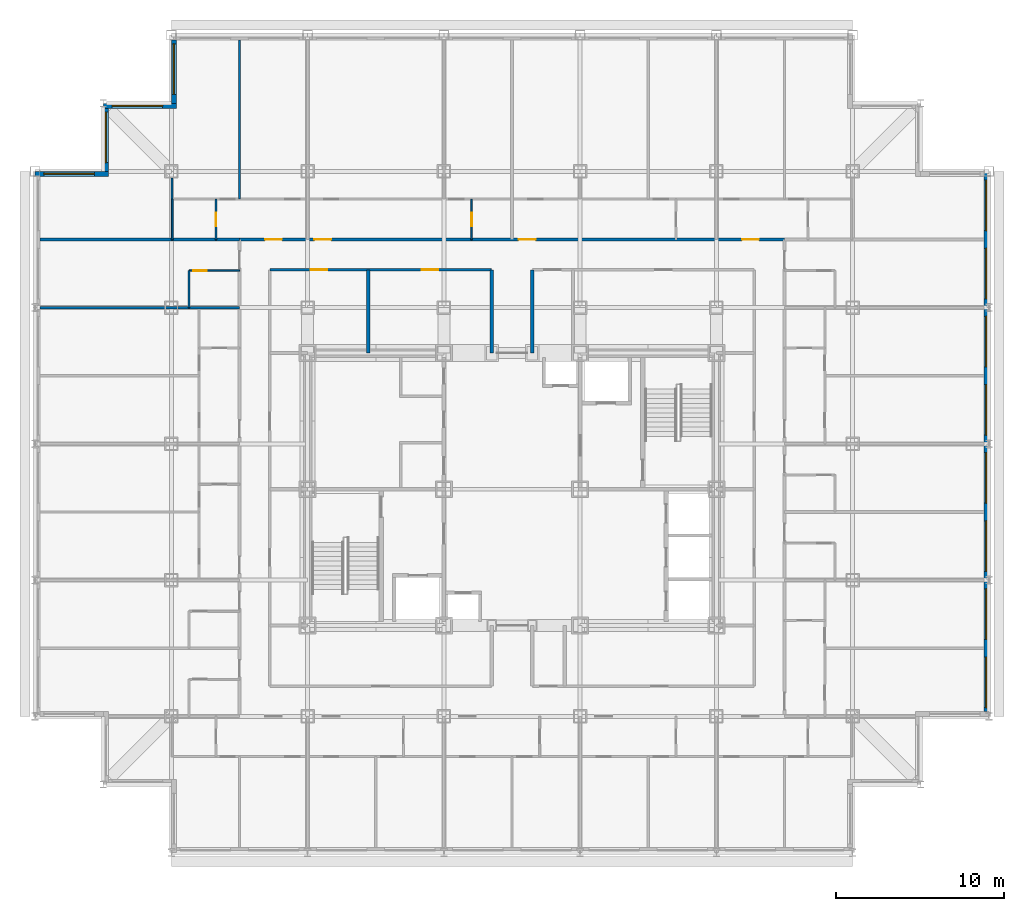
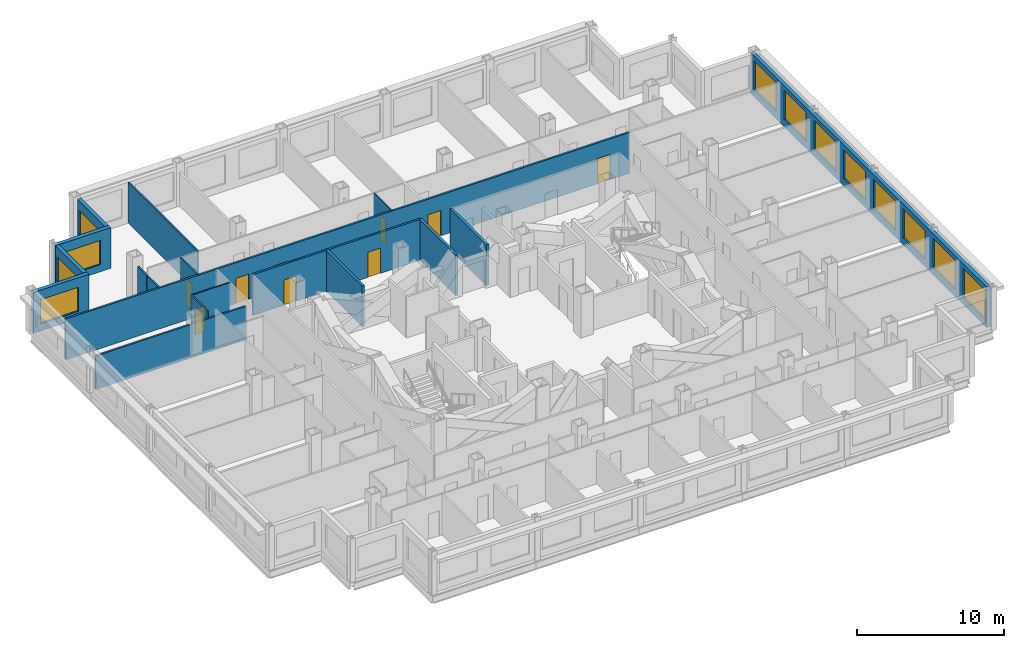
# One storey, part 9 of 12: 19 walls, 12 windows, 9 doors, 21 openings.
"""IFC4 building model written with IfcOpenShell, lengths in metres."""

import ifcopenshell
import ifcopenshell.guid

model = None  # the IFC model being written
_history = None  # IfcOwnerHistory: only IFC2X3 demands one
_inside = {}  # id of a spatial element -> (the spatial element, [elements in it])
_under = {}  # id of a project, library or spatial element -> (it, [spatial elements below it])
_declared = {}  # id of a project -> (the project, [libraries it declares])
_typed = {}  # id of a type object -> (the type object, [elements of that type])
_made_of = {}  # id of a material, layer set ... -> (it, [elements and type objects made of it])


def new_model(schema):
    """Start an empty IFC model of exactly this schema.

    Asked for "IFC4X3", IfcOpenShell would pick the latest addendum, in which some entities
    have other attributes; the version numbers below select the first issue.
    IFC2X3 requires an IfcOwnerHistory on every rooted entity: one is made here for all.
    """
    global model, _history
    if schema == "IFC4X3":
        model = ifcopenshell.file(schema_version=(4, 3, 0, 0))
    else:
        model = ifcopenshell.file(schema=schema)
    _inside.clear()
    _under.clear()
    _declared.clear()
    _typed.clear()
    _made_of.clear()
    _history = None
    if model.schema == "IFC2X3":
        org = make("IfcOrganization", Name="unknown")
        user = make(
            "IfcPersonAndOrganization",
            ThePerson=make("IfcPerson", FamilyName="unknown"),
            TheOrganization=org,
        )
        app = make(
            "IfcApplication",
            ApplicationDeveloper=org,
            Version="unknown",
            ApplicationFullName="unknown",
            ApplicationIdentifier="unknown",
        )
        _history = make(
            "IfcOwnerHistory",
            OwningUser=user,
            OwningApplication=app,
            ChangeAction="ADDED",
            CreationDate=0,
        )
    return model


def make(cls, **values):
    """One entity of the class cls with the attributes given. An attribute that is None is left unset."""
    return model.create_entity(
        cls, **{name: value for name, value in values.items() if value is not None}
    )


def rooted(cls, **values):
    """An entity with a GlobalId (a new one), such as an element, a storey or a relation."""
    return make(cls, GlobalId=ifcopenshell.guid.new(), OwnerHistory=_history, **values)


def si_unit(unit_type, name, prefix=None):
    """IfcSIUnit, for example si_unit("LENGTHUNIT", "METRE", prefix="MILLI")."""
    return make("IfcSIUnit", UnitType=unit_type, Prefix=prefix, Name=name)


def assignment(units):
    """IfcUnitAssignment: the units of a project."""
    return None if units is None else make("IfcUnitAssignment", Units=units)


def point(xyz):
    """IfcCartesianPoint."""
    return None if xyz is None else make("IfcCartesianPoint", Coordinates=xyz)


def direction(xyz):
    """IfcDirection."""
    return None if xyz is None else make("IfcDirection", DirectionRatios=xyz)


def frame(location, z_axis=None, x_axis=None):
    """IfcAxis2Placement3D, a coordinate frame: its origin and axes. An axis left out is left unset."""
    return make(
        "IfcAxis2Placement3D",
        Location=point(location),
        Axis=direction(z_axis),
        RefDirection=direction(x_axis),
    )


def frame_2d(location, x_axis=None):
    """IfcAxis2Placement2D, a coordinate frame in the plane: its origin and x axis."""
    return make(
        "IfcAxis2Placement2D", Location=point(location), RefDirection=direction(x_axis)
    )


def origin():
    """The frame at (0, 0, 0) with its axes left unset."""
    return frame((0.0, 0.0, 0.0))


def place(relative_to, where):
    """IfcLocalPlacement: puts the frame where relative to a parent placement (None: the world)."""
    return make(
        "IfcLocalPlacement", PlacementRelTo=relative_to, RelativePlacement=where
    )


def context(
    kind, dimensions, precision=None, world=None, true_north=None, identifier=None
):
    """IfcGeometricRepresentationContext, for example the 3D "Model" context."""
    return make(
        "IfcGeometricRepresentationContext",
        ContextIdentifier=identifier,
        ContextType=kind,
        CoordinateSpaceDimension=dimensions,
        Precision=precision,
        WorldCoordinateSystem=world,
        TrueNorth=true_north,
    )


def subcontext(parent, identifier, kind, view, scale=None):
    """IfcGeometricRepresentationSubContext, for example "Body" below "Model"."""
    return make(
        "IfcGeometricRepresentationSubContext",
        ContextIdentifier=identifier,
        ContextType=kind,
        ParentContext=parent,
        TargetScale=scale,
        TargetView=view,
    )


def project(units=None, contexts=None):
    """IfcProject with its units and contexts."""
    return rooted(
        "IfcProject",
        Name="project",
        RepresentationContexts=contexts,
        UnitsInContext=assignment(units),
    )


def spatial(cls, under=None, at=None, **own):
    """A site, building, storey or space (cls), placed at a placement, below another one or the project."""
    s = rooted(cls, ObjectPlacement=at, **own)
    if under is not None:
        _under.setdefault(under.id(), (under, []))[1].append(s)
    return s


def profile(cls, at=None, kind="AREA", **sizes):
    """A parametric profile (cls). Its sizes go by their IFC names, for example OverallWidth=200.0."""
    return make(cls, ProfileType=kind, Position=at, **sizes)


def rectangle(**sizes):
    """IfcRectangleProfileDef."""
    return profile("IfcRectangleProfileDef", **sizes)


def extrude(swept, where, along, depth):
    """IfcExtrudedAreaSolid: the profile swept, set in the frame where, extruded along a direction by depth."""
    return make(
        "IfcExtrudedAreaSolid",
        SweptArea=swept,
        Position=where,
        ExtrudedDirection=direction(along),
        Depth=depth,
    )


def shape(context_of_items, identifier, shape_type, items):
    """IfcShapeRepresentation: the items that make up one representation, for example the "Body"."""
    return make(
        "IfcShapeRepresentation",
        ContextOfItems=context_of_items,
        RepresentationIdentifier=identifier,
        RepresentationType=shape_type,
        Items=items,
    )


def material(Name=None, Category=None):
    """IfcMaterial."""
    return make("IfcMaterial", Name=Name, Category=Category)


def layer(
    of_material, thickness, ventilated=None, Name=None, Category=None, Priority=None
):
    """IfcMaterialLayer: one layer of a wall or slab, of a material (None: an air gap)."""
    return make(
        "IfcMaterialLayer",
        Material=of_material,
        LayerThickness=thickness,
        IsVentilated=ventilated,
        Name=Name,
        Category=Category,
        Priority=Priority,
    )


def layer_set(layers, Name=None):
    """IfcMaterialLayerSet."""
    return make("IfcMaterialLayerSet", MaterialLayers=layers, LayerSetName=Name)


def made_of(thing, what):
    """Note that an element or type object is made of a material, layer set ...; save() writes the relation."""
    if what is not None:
        _made_of.setdefault(what.id(), (what, []))[1].append(thing)
    return thing


def type_object(cls, material=None, **own):
    """A type object (cls), such as IfcWallType, which elements share."""
    return made_of(rooted(cls, **own), material)


def element(
    cls,
    number,
    at=None,
    inside=None,
    cuts=None,
    type_object=None,
    material=None,
    context=None,
    identifier="Body",
    shape_type=None,
    held_by="IfcProductDefinitionShape",
    body=None,
    shapes=None,
    **own,
):
    """One element of the class cls, such as IfcWall. Its Tag is "e" and its number.

    at: its placement. inside: the storey or other place that contains it. cuts: it is an
    opening in that element (IfcRelVoidsElement). A single representation is given by context,
    identifier, shape_type and body (its items); several are given by shapes. held_by: the class
    of the entity that holds the representations. save() writes the other relations.
    """
    e = rooted(cls, Tag="e%d" % number, ObjectPlacement=at, **own)
    if body is not None:
        shapes = [shape(context, identifier, shape_type, body)]
    if shapes is not None:
        e.Representation = make(held_by, Representations=shapes)
    if inside is not None:
        _inside.setdefault(inside.id(), (inside, []))[1].append(e)
    if cuts is not None:
        rooted(
            "IfcRelVoidsElement", RelatingBuildingElement=cuts, RelatedOpeningElement=e
        )
    if type_object is not None:
        _typed.setdefault(type_object.id(), (type_object, []))[1].append(e)
    return made_of(e, material)


def fill(opening, filler):
    """IfcRelFillsElement: the door or window that sits in an opening."""
    return rooted(
        "IfcRelFillsElement",
        RelatingOpeningElement=opening,
        RelatedBuildingElement=filler,
    )


def aggregate(whole, parts):
    """IfcRelAggregates: a whole, such as a stair, and the parts it consists of."""
    return rooted("IfcRelAggregates", RelatingObject=whole, RelatedObjects=parts)


def save(model, path):
    """Write the relations noted so far, then the file.

    IfcRelAggregates (storeys below a building ...), IfcRelContainedInSpatialStructure (elements
    in a storey), IfcRelDefinesByType, IfcRelAssociatesMaterial and IfcRelDeclares: one each for
    every whole, place, type object, material and project.
    """
    for whole, parts in _under.values():
        aggregate(whole, parts)
    for where, things in _inside.values():
        rooted(
            "IfcRelContainedInSpatialStructure",
            RelatedElements=things,
            RelatingStructure=where,
        )
    for kind, things in _typed.values():
        rooted("IfcRelDefinesByType", RelatedObjects=things, RelatingType=kind)
    for what, things in _made_of.values():
        rooted("IfcRelAssociatesMaterial", RelatedObjects=things, RelatingMaterial=what)
    for by, libraries in _declared.values():
        rooted("IfcRelDeclares", RelatingContext=by, RelatedDefinitions=libraries)
    model.write(path)


model = new_model("IFC4")

# Units and contexts
model_context = context("Model", 3, precision=1e-05, world=origin(), true_north=direction((0.0, 1.0)))
body_context = subcontext(model_context, "Body", "Model", "MODEL_VIEW")
ifc_project = project(units=[si_unit("LENGTHUNIT", "METRE"), si_unit("AREAUNIT", "SQUARE_METRE"), si_unit("VOLUMEUNIT", "CUBIC_METRE"), si_unit("PLANEANGLEUNIT", "RADIAN"), si_unit("MASSUNIT", "GRAM", prefix="KILO")], contexts=[model_context])

# Site, building, storey
site_placement = place(None, origin())
site = spatial("IfcSite", under=ifc_project, at=site_placement, CompositionType="ELEMENT")
building_placement = place(site_placement, origin())
building = spatial("IfcBuilding", under=site, at=building_placement, Name="Kopane Lantern Tower", CompositionType="ELEMENT")
storey_placement = place(building_placement, frame((0.0, 0.0, 184.800048828125)))
storey = spatial("IfcBuildingStorey", under=building, at=storey_placement, Name="L47", CompositionType="ELEMENT", Elevation=184.800048828125)

# Walls
ifc_material_1 = material(Name="Gypsum board on steel studs", Category="steel")
ifc_layer_1 = layer(ifc_material_1, 0.1201171875)
ifc_layer_set_1 = layer_set([ifc_layer_1], Name="APARTMENT INTERNAL WALL 120")
wall_type_1 = type_object("IfcWallType", Name="APARTMENT INTERNAL WALL 120", PredefinedType="PARTITIONING", material=ifc_layer_set_1)
wall_1_placement = place(storey_placement, frame((12.14990234375, 49.64990234375, 0.0), z_axis=(0.0, 0.0, 1.0), x_axis=(0.0, 1.0, 0.0)))
element("IfcWall", 1, at=wall_1_placement, inside=storey, type_object=wall_type_1, Name="Apartment Internal Wall 120 L47", PredefinedType="PARTITIONING", context=body_context, shape_type="SweptSolid", body=[
    extrude(rectangle(XDim=9.4501953125, YDim=0.1201171875, at=frame_2d((4.72509765625, 0.0))), origin(), (0.0, 0.0, 1.0), 3.389892578125),
])
wall_2_placement = place(storey_placement, frame((8.14990234375, 49.64990234375, 0.0), z_axis=(0.0, 0.0, 1.0), x_axis=(0.0, 1.0, 0.0)))
element("IfcWall", 2, at=wall_2_placement, inside=storey, type_object=wall_type_1, Name="Apartment Internal Wall 120 L47", PredefinedType="PARTITIONING", context=body_context, shape_type="SweptSolid", body=[
    extrude(rectangle(XDim=1.25, YDim=0.1201171875, at=frame_2d((0.625, 0.0))), origin(), (0.0, 0.0, 1.0), 2.77783203125),
])

# Wall, opening, door
ifc_material_2 = material(Name="Moisture-resistant board on steel studs", Category="steel")
ifc_layer_2 = layer(ifc_material_2, 0.10009765625)
ifc_layer_set_2 = layer_set([ifc_layer_2], Name="BATHROOM WALL 100")
wall_type_2 = type_object("IfcWallType", Name="BATHROOM WALL 100", PredefinedType="PARTITIONING", material=ifc_layer_set_2)
wall_3_placement = place(storey_placement, frame((25.949951171875, 47.25, 0.0), z_axis=(0.0, 0.0, 1.0), x_axis=(0.0, 1.0, 0.0)))
wall_3 = element("IfcWall", 3, at=wall_3_placement, inside=storey, type_object=wall_type_2, Name="Bathroom Wall 100 L47", PredefinedType="PARTITIONING", context=body_context, shape_type="SweptSolid", body=[
    extrude(rectangle(XDim=2.39990234375, YDim=0.10009765625, at=frame_2d((1.199951171875, 0.0))), origin(), (0.0, 0.0, 1.0), 3.389892578125),
])
opening_1_placement = place(wall_3_placement, frame((0.800048828125, 0.0, 0.0)))
opening_1 = element("IfcOpeningElement", 4, at=opening_1_placement, cuts=wall_3, Name="Opening L47-024", PredefinedType="OPENING", context=body_context, shape_type="SweptSolid", body=[
    extrude(rectangle(XDim=0.800048828125, YDim=2.10009765625, at=frame_2d((0.39990234375, 1.050048828125))), frame((0.0, 0.06005859375, 0.0), z_axis=(0.0, -1.0, 0.0), x_axis=(1.0, 0.0, 0.0)), (0.0, 0.0, 1.0), 0.1201171875),
])
ifc_material_3 = material(Name="Timber door set", Category="wood")
door_type_1 = type_object("IfcDoorType", Name="DOOR D2 800x2100", OperationType="SINGLE_SWING_LEFT", PredefinedType="DOOR", material=ifc_material_3)
door_1_placement = place(opening_1_placement, origin())
door_1 = element("IfcDoor", 5, at=door_1_placement, inside=storey, type_object=door_type_1, Name="Door L47-024", OperationType="SINGLE_SWING_RIGHT", OverallHeight=2.10009765625, OverallWidth=0.800048828125, PredefinedType="DOOR", context=body_context, shape_type="SweptSolid", body=[
    extrude(rectangle(XDim=0.800048828125, YDim=2.10009765625, at=frame_2d((0.39990234375, 1.050048828125))), frame((0.0, 0.02490234375, 0.0), z_axis=(0.0, -1.0, 0.0), x_axis=(1.0, 0.0, 0.0)), (0.0, 0.0, 1.0), 0.050048828125),
])
fill(opening_1, door_1)

# Wall
wall_4_placement = place(storey_placement, frame((9.14990234375, 43.199951171875, 0.0), z_axis=(0.0, 0.0, 1.0), x_axis=(0.0, 1.0, 0.0)))
element("IfcWall", 6, at=wall_4_placement, inside=storey, type_object=wall_type_2, Name="Bathroom Wall 100 L47", PredefinedType="PARTITIONING", context=body_context, shape_type="SweptSolid", body=[
    extrude(rectangle(XDim=2.199951171875, YDim=0.10009765625, at=frame_2d((1.10009765625, 0.0))), origin(), (0.0, 0.0, 1.0), 3.389892578125),
])

# Wall, opening, door
wall_5_placement = place(storey_placement, frame((12.14990234375, 45.39990234375, 0.0), z_axis=(0.0, 0.0, 1.0), x_axis=(-1.0, 0.0, 0.0)))
wall_5 = element("IfcWall", 7, at=wall_5_placement, inside=storey, type_object=wall_type_2, Name="Bathroom Wall 100 L47", PredefinedType="PARTITIONING", context=body_context, shape_type="SweptSolid", body=[
    extrude(rectangle(XDim=3.0, YDim=0.10009765625, at=frame_2d((1.5, 0.0))), origin(), (0.0, 0.0, 1.0), 3.389892578125),
])
opening_2_placement = place(wall_5_placement, frame((1.949951171875, 0.0, 0.0)))
opening_2 = element("IfcOpeningElement", 8, at=opening_2_placement, cuts=wall_5, Name="Opening L47-044", PredefinedType="OPENING", context=body_context, shape_type="SweptSolid", body=[
    extrude(rectangle(XDim=0.800048828125, YDim=2.10009765625, at=frame_2d((0.39990234375, 1.050048828125))), frame((0.0, 0.06005859375, 0.0), z_axis=(0.0, -1.0, 0.0), x_axis=(1.0, 0.0, 0.0)), (0.0, 0.0, 1.0), 0.1201171875),
])
door_2_placement = place(opening_2_placement, origin())
door_2 = element("IfcDoor", 9, at=door_2_placement, inside=storey, type_object=door_type_1, Name="Door L47-044", OperationType="SINGLE_SWING_RIGHT", OverallHeight=2.10009765625, OverallWidth=0.800048828125, PredefinedType="DOOR", context=body_context, shape_type="SweptSolid", body=[
    extrude(rectangle(XDim=0.800048828125, YDim=2.10009765625, at=frame_2d((0.39990234375, 1.050048828125))), frame((0.0, 0.02490234375, 0.0), z_axis=(0.0, -1.0, 0.0), x_axis=(1.0, 0.0, 0.0)), (0.0, 0.0, 1.0), 0.050048828125),
])
fill(opening_2, door_2)

wall_6_placement = place(storey_placement, frame((10.75, 47.25, 0.0), z_axis=(0.0, 0.0, 1.0), x_axis=(0.0, 1.0, 0.0)))
wall_6 = element("IfcWall", 10, at=wall_6_placement, inside=storey, type_object=wall_type_2, Name="Bathroom Wall 100 L47", PredefinedType="PARTITIONING", context=body_context, shape_type="SweptSolid", body=[
    extrude(rectangle(XDim=2.39990234375, YDim=0.10009765625, at=frame_2d((1.199951171875, 0.0))), origin(), (0.0, 0.0, 1.0), 3.389892578125),
])
opening_3_placement = place(wall_6_placement, frame((0.800048828125, 0.0, 0.0)))
opening_3 = element("IfcOpeningElement", 11, at=opening_3_placement, cuts=wall_6, Name="Opening L47-074", PredefinedType="OPENING", context=body_context, shape_type="SweptSolid", body=[
    extrude(rectangle(XDim=0.800048828125, YDim=2.10009765625, at=frame_2d((0.39990234375, 1.050048828125))), frame((0.0, 0.06005859375, 0.0), z_axis=(0.0, -1.0, 0.0), x_axis=(1.0, 0.0, 0.0)), (0.0, 0.0, 1.0), 0.1201171875),
])
door_3_placement = place(opening_3_placement, origin())
door_3 = element("IfcDoor", 12, at=door_3_placement, inside=storey, type_object=door_type_1, Name="Door L47-074", OperationType="SINGLE_SWING_LEFT", OverallHeight=2.10009765625, OverallWidth=0.800048828125, PredefinedType="DOOR", context=body_context, shape_type="SweptSolid", body=[
    extrude(rectangle(XDim=0.800048828125, YDim=2.10009765625, at=frame_2d((0.39990234375, 1.050048828125))), frame((0.0, 0.02490234375, 0.0), z_axis=(0.0, -1.0, 0.0), x_axis=(1.0, 0.0, 0.0)), (0.0, 0.0, 1.0), 0.050048828125),
])
fill(opening_3, door_3)

# Wall
wall_7_placement = place(storey_placement, frame((8.14990234375, 47.25, 0.0), z_axis=(0.0, 0.0, 1.0), x_axis=(0.0, 1.0, 0.0)))
element("IfcWall", 13, at=wall_7_placement, inside=storey, type_object=wall_type_2, Name="Bathroom Wall 100 L47", PredefinedType="PARTITIONING", context=body_context, shape_type="SweptSolid", body=[
    extrude(rectangle(XDim=2.39990234375, YDim=0.10009765625, at=frame_2d((1.199951171875, 0.0))), origin(), (0.0, 0.0, 1.0), 2.77783203125),
])

# Wall, openings, doors
ifc_material_4 = material(Name="Gypsum board on steel studs", Category="steel")
ifc_layer_3 = layer(ifc_material_4, 0.14990234375)
ifc_layer_set_3 = layer_set([ifc_layer_3], Name="CORRIDOR WALL 150 EI 60")
wall_type_3 = type_object("IfcWallType", Name="CORRIDOR WALL 150 EI 60", PredefinedType="PARTITIONING", material=ifc_layer_set_3)
wall_8_placement = place(storey_placement, frame((12.14990234375, 47.25, 0.0), z_axis=(0.0, 0.0, 1.0), x_axis=(1.0, 0.0, 0.0)))
wall_8 = element("IfcWall", 14, at=wall_8_placement, inside=storey, type_object=wall_type_3, Name="Corridor Wall 150 Ei 60 L47", PredefinedType="PARTITIONING", context=body_context, shape_type="SweptSolid", body=[
    extrude(rectangle(XDim=32.400146484375, YDim=0.14990234375, at=frame_2d((16.2001953125, 0.0))), origin(), (0.0, 0.0, 1.0), 3.389892578125),
])
opening_4_placement = place(wall_8_placement, frame((4.449951171875, 0.0, 0.0)))
opening_4 = element("IfcOpeningElement", 15, at=opening_4_placement, cuts=wall_8, Name="Opening L47-025", PredefinedType="OPENING", context=body_context, shape_type="SweptSolid", body=[
    extrude(rectangle(XDim=1.0, YDim=2.10009765625, at=frame_2d((0.5, 1.050048828125))), frame((0.0, 0.0849609375, 0.0), z_axis=(0.0, -1.0, 0.0), x_axis=(1.0, 0.0, 0.0)), (0.0, 0.0, 1.0), 0.169921875),
])
opening_5_placement = place(wall_8_placement, frame((16.60009765625, 0.0, 0.0)))
opening_5 = element("IfcOpeningElement", 16, at=opening_5_placement, cuts=wall_8, Name="Opening L47-029", PredefinedType="OPENING", context=body_context, shape_type="SweptSolid", body=[
    extrude(rectangle(XDim=1.0, YDim=2.10009765625, at=frame_2d((0.5, 1.050048828125))), frame((0.0, 0.0849609375, 0.0), z_axis=(0.0, -1.0, 0.0), x_axis=(1.0, 0.0, 0.0)), (0.0, 0.0, 1.0), 0.169921875),
])
opening_6_placement = place(wall_8_placement, frame((29.875, 0.0, 0.0)))
opening_6 = element("IfcOpeningElement", 17, at=opening_6_placement, cuts=wall_8, Name="Opening L47-068", PredefinedType="OPENING", context=body_context, shape_type="SweptSolid", body=[
    extrude(rectangle(XDim=1.0, YDim=2.10009765625, at=frame_2d((0.5, 1.050048828125))), frame((0.0, 0.0849609375, 0.0), z_axis=(0.0, -1.0, 0.0), x_axis=(1.0, 0.0, 0.0)), (0.0, 0.0, 1.0), 0.169921875),
])
opening_7_placement = place(wall_8_placement, frame((1.52490234375, 0.0, 0.0)))
opening_7 = element("IfcOpeningElement", 18, at=opening_7_placement, cuts=wall_8, Name="Opening L47-072", PredefinedType="OPENING", context=body_context, shape_type="SweptSolid", body=[
    extrude(rectangle(XDim=1.0, YDim=2.10009765625, at=frame_2d((0.5, 1.050048828125))), frame((0.0, 0.0849609375, 0.0), z_axis=(0.0, -1.0, 0.0), x_axis=(1.0, 0.0, 0.0)), (0.0, 0.0, 1.0), 0.169921875),
])
ifc_material_5 = material(Name="Steel door set", Category="steel")
door_type_2 = type_object("IfcDoorType", Name="DOOR D3 1000x2100 FD30S", OperationType="SINGLE_SWING_LEFT", PredefinedType="DOOR", material=ifc_material_5)
door_4_placement = place(opening_4_placement, origin())
door_4 = element("IfcDoor", 19, at=door_4_placement, inside=storey, type_object=door_type_2, Name="Door L47-025", OperationType="SINGLE_SWING_LEFT", OverallHeight=2.10009765625, OverallWidth=1.0, PredefinedType="DOOR", context=body_context, shape_type="SweptSolid", body=[
    extrude(rectangle(XDim=1.0, YDim=2.10009765625, at=frame_2d((0.5, 1.050048828125))), frame((0.0, 0.02490234375, 0.0), z_axis=(0.0, -1.0, 0.0), x_axis=(1.0, 0.0, 0.0)), (0.0, 0.0, 1.0), 0.050048828125),
])
fill(opening_4, door_4)
door_5_placement = place(opening_5_placement, origin())
door_5 = element("IfcDoor", 20, at=door_5_placement, inside=storey, type_object=door_type_2, Name="Door L47-029", OperationType="SINGLE_SWING_LEFT", OverallHeight=2.10009765625, OverallWidth=1.0, PredefinedType="DOOR", context=body_context, shape_type="SweptSolid", body=[
    extrude(rectangle(XDim=1.0, YDim=2.10009765625, at=frame_2d((0.5, 1.050048828125))), frame((0.0, 0.02490234375, 0.0), z_axis=(0.0, -1.0, 0.0), x_axis=(1.0, 0.0, 0.0)), (0.0, 0.0, 1.0), 0.050048828125),
])
fill(opening_5, door_5)
door_6_placement = place(opening_6_placement, origin())
door_6 = element("IfcDoor", 21, at=door_6_placement, inside=storey, type_object=door_type_2, Name="Door L47-068", OperationType="SINGLE_SWING_LEFT", OverallHeight=2.10009765625, OverallWidth=1.0, PredefinedType="DOOR", context=body_context, shape_type="SweptSolid", body=[
    extrude(rectangle(XDim=1.0, YDim=2.10009765625, at=frame_2d((0.5, 1.050048828125))), frame((0.0, 0.02490234375, 0.0), z_axis=(0.0, -1.0, 0.0), x_axis=(1.0, 0.0, 0.0)), (0.0, 0.0, 1.0), 0.050048828125),
])
fill(opening_6, door_6)
door_7_placement = place(opening_7_placement, origin())
door_7 = element("IfcDoor", 22, at=door_7_placement, inside=storey, type_object=door_type_2, Name="Door L47-072", OperationType="SINGLE_SWING_RIGHT", OverallHeight=2.10009765625, OverallWidth=1.0, PredefinedType="DOOR", context=body_context, shape_type="SweptSolid", body=[
    extrude(rectangle(XDim=1.0, YDim=2.10009765625, at=frame_2d((0.5, 1.050048828125))), frame((0.0, 0.02490234375, 0.0), z_axis=(0.0, -1.0, 0.0), x_axis=(1.0, 0.0, 0.0)), (0.0, 0.0, 1.0), 0.050048828125),
])
fill(opening_7, door_7)

wall_9_placement = place(storey_placement, frame((27.139892578125, 45.449951171875, 0.0), z_axis=(0.0, 0.0, 1.0), x_axis=(-1.0, 0.0, 0.0)))
wall_9 = element("IfcWall", 23, at=wall_9_placement, inside=storey, type_object=wall_type_3, Name="Corridor Wall 150 Ei 60 L47", PredefinedType="PARTITIONING", context=body_context, shape_type="SweptSolid", body=[
    extrude(rectangle(XDim=13.18994140625, YDim=0.14990234375, at=frame_2d((6.594970703125, 0.0))), origin(), (0.0, 0.0, 1.0), 3.389892578125),
])
opening_8_placement = place(wall_9_placement, frame((9.7607421875, 0.0, 0.0)))
opening_8 = element("IfcOpeningElement", 24, at=opening_8_placement, cuts=wall_9, Name="Opening L47-008", PredefinedType="OPENING", context=body_context, shape_type="SweptSolid", body=[
    extrude(rectangle(XDim=1.0, YDim=2.10009765625, at=frame_2d((0.5, 1.050048828125))), frame((0.0, 0.0849609375, 0.0), z_axis=(0.0, -1.0, 0.0), x_axis=(1.0, 0.0, 0.0)), (0.0, 0.0, 1.0), 0.169921875),
])
opening_9_placement = place(wall_9_placement, frame((3.16064453125, 0.0, 0.0)))
opening_9 = element("IfcOpeningElement", 25, at=opening_9_placement, cuts=wall_9, Name="Opening L47-009", PredefinedType="OPENING", context=body_context, shape_type="SweptSolid", body=[
    extrude(rectangle(XDim=1.0, YDim=2.10009765625, at=frame_2d((0.5, 1.050048828125))), frame((0.0, 0.0849609375, 0.0), z_axis=(0.0, -1.0, 0.0), x_axis=(1.0, 0.0, 0.0)), (0.0, 0.0, 1.0), 0.169921875),
])
ifc_material_6 = material(Name="Steel door set", Category="steel")
door_type_3 = type_object("IfcDoorType", Name="DOOR D5 1000x2100 FD60", OperationType="SINGLE_SWING_LEFT", PredefinedType="DOOR", material=ifc_material_6)
door_8_placement = place(opening_8_placement, origin())
door_8 = element("IfcDoor", 26, at=door_8_placement, inside=storey, type_object=door_type_3, Name="Door L47-008", OperationType="SINGLE_SWING_RIGHT", OverallHeight=2.10009765625, OverallWidth=1.0, PredefinedType="DOOR", context=body_context, shape_type="SweptSolid", body=[
    extrude(rectangle(XDim=1.0, YDim=2.10009765625, at=frame_2d((0.5, 1.050048828125))), frame((0.0, 0.02490234375, 0.0), z_axis=(0.0, -1.0, 0.0), x_axis=(1.0, 0.0, 0.0)), (0.0, 0.0, 1.0), 0.050048828125),
])
fill(opening_8, door_8)
door_9_placement = place(opening_9_placement, origin())
door_9 = element("IfcDoor", 27, at=door_9_placement, inside=storey, type_object=door_type_3, Name="Door L47-009", OperationType="SINGLE_SWING_LEFT", OverallHeight=2.10009765625, OverallWidth=1.0, PredefinedType="DOOR", context=body_context, shape_type="SweptSolid", body=[
    extrude(rectangle(XDim=1.0, YDim=2.10009765625, at=frame_2d((0.5, 1.050048828125))), frame((0.0, 0.02490234375, 0.0), z_axis=(0.0, -1.0, 0.0), x_axis=(1.0, 0.0, 0.0)), (0.0, 0.0, 1.0), 0.050048828125),
])
fill(opening_9, door_9)

# Walls
ifc_material_7 = material(Name="Gypsum board on steel studs", Category="steel")
ifc_layer_4 = layer(ifc_material_7, 0.14990234375)
ifc_layer_set_4 = layer_set([ifc_layer_4], Name="DEMISING WALL 150 EI 60")
wall_type_4 = type_object("IfcWallType", Name="DEMISING WALL 150 EI 60", PredefinedType="PARTITIONING", material=ifc_layer_set_4)
wall_10_placement = place(storey_placement, frame((12.14990234375, 43.199951171875, 0.0), z_axis=(0.0, 0.0, 1.0), x_axis=(-1.0, 0.0, 0.0)))
element("IfcWall", 28, at=wall_10_placement, inside=storey, type_object=wall_type_4, Name="Demising Wall 150 Ei 60 L47", PredefinedType="PARTITIONING", context=body_context, shape_type="SweptSolid", body=[
    extrude(rectangle(XDim=11.849853515625, YDim=0.14990234375, at=frame_2d((5.9248046875, 0.0))), origin(), (0.0, 0.0, 1.0), 2.77783203125),
])
wall_11_placement = place(storey_placement, frame((0.300048828125, 47.25, 0.0), z_axis=(0.0, 0.0, 1.0), x_axis=(1.0, 0.0, 0.0)))
element("IfcWall", 29, at=wall_11_placement, inside=storey, type_object=wall_type_4, Name="Demising Wall 150 Ei 60 L47", PredefinedType="PARTITIONING", context=body_context, shape_type="SweptSolid", body=[
    extrude(rectangle(XDim=11.849853515625, YDim=0.14990234375, at=frame_2d((5.9248046875, 0.0))), origin(), (0.0, 0.0, 1.0), 3.389892578125),
])

# Wall, openings, windows
ifc_material_8 = material(Name="Terracotta rainscreen on light steel framing", Category="masonry")
ifc_layer_5 = layer(ifc_material_8, 0.300048828125)
ifc_layer_set_5 = layer_set([ifc_layer_5], Name="EXTERNAL WALL EW1 300 TERRACOTTA")
wall_type_5 = type_object("IfcWallType", Name="EXTERNAL WALL EW1 300 TERRACOTTA", PredefinedType="SOLIDWALL", material=ifc_layer_set_5)
wall_12_placement = place(storey_placement, frame((56.550048828125, 19.199951171875, 0.0), z_axis=(0.0, 0.0, 1.0), x_axis=(0.0, 1.0, 0.0)))
wall_12 = element("IfcWall", 30, at=wall_12_placement, inside=storey, type_object=wall_type_5, Name="External wall E L47", PredefinedType="SOLIDWALL", context=body_context, shape_type="SweptSolid", body=[
    extrude(rectangle(XDim=32.10009765625, YDim=0.300048828125, at=frame_2d((16.050048828125, 0.0))), origin(), (0.0, 0.0, 1.0), 3.389892578125),
])
opening_10_placement = place(wall_12_placement, frame((0.22509765625, 0.0, 0.60009765625)))
opening_10 = element("IfcOpeningElement", 31, at=opening_10_placement, cuts=wall_12, Name="Opening WR300240", PredefinedType="OPENING", context=body_context, shape_type="SweptSolid", body=[
    extrude(rectangle(XDim=3.0, YDim=2.39990234375, at=frame_2d((1.5, 1.199951171875))), frame((0.0, 0.159912109375, 0.0), z_axis=(0.0, -1.0, 0.0), x_axis=(1.0, 0.0, 0.0)), (0.0, 0.0, 1.0), 0.320068359375),
])
opening_11_placement = place(wall_12_placement, frame((4.27490234375, 0.0, 0.60009765625)))
opening_11 = element("IfcOpeningElement", 32, at=opening_11_placement, cuts=wall_12, Name="Opening WR300240", PredefinedType="OPENING", context=body_context, shape_type="SweptSolid", body=[
    extrude(rectangle(XDim=3.0, YDim=2.39990234375, at=frame_2d((1.5, 1.199951171875))), frame((0.0, 0.159912109375, 0.0), z_axis=(0.0, -1.0, 0.0), x_axis=(1.0, 0.0, 0.0)), (0.0, 0.0, 1.0), 0.320068359375),
])
opening_12_placement = place(wall_12_placement, frame((8.324951171875, 0.0, 0.60009765625)))
opening_12 = element("IfcOpeningElement", 33, at=opening_12_placement, cuts=wall_12, Name="Opening WR300240", PredefinedType="OPENING", context=body_context, shape_type="SweptSolid", body=[
    extrude(rectangle(XDim=3.0, YDim=2.39990234375, at=frame_2d((1.5, 1.199951171875))), frame((0.0, 0.159912109375, 0.0), z_axis=(0.0, -1.0, 0.0), x_axis=(1.0, 0.0, 0.0)), (0.0, 0.0, 1.0), 0.320068359375),
])
opening_13_placement = place(wall_12_placement, frame((12.375, 0.0, 0.60009765625)))
opening_13 = element("IfcOpeningElement", 34, at=opening_13_placement, cuts=wall_12, Name="Opening WR300240", PredefinedType="OPENING", context=body_context, shape_type="SweptSolid", body=[
    extrude(rectangle(XDim=3.0, YDim=2.39990234375, at=frame_2d((1.5, 1.199951171875))), frame((0.0, 0.159912109375, 0.0), z_axis=(0.0, -1.0, 0.0), x_axis=(1.0, 0.0, 0.0)), (0.0, 0.0, 1.0), 0.320068359375),
])
opening_14_placement = place(wall_12_placement, frame((16.425048828125, 0.0, 0.60009765625)))
opening_14 = element("IfcOpeningElement", 35, at=opening_14_placement, cuts=wall_12, Name="Opening WR300240", PredefinedType="OPENING", context=body_context, shape_type="SweptSolid", body=[
    extrude(rectangle(XDim=3.0, YDim=2.39990234375, at=frame_2d((1.5, 1.199951171875))), frame((0.0, 0.159912109375, 0.0), z_axis=(0.0, -1.0, 0.0), x_axis=(1.0, 0.0, 0.0)), (0.0, 0.0, 1.0), 0.320068359375),
])
opening_15_placement = place(wall_12_placement, frame((20.47509765625, 0.0, 0.60009765625)))
opening_15 = element("IfcOpeningElement", 36, at=opening_15_placement, cuts=wall_12, Name="Opening WR300240", PredefinedType="OPENING", context=body_context, shape_type="SweptSolid", body=[
    extrude(rectangle(XDim=3.0, YDim=2.39990234375, at=frame_2d((1.5, 1.199951171875))), frame((0.0, 0.159912109375, 0.0), z_axis=(0.0, -1.0, 0.0), x_axis=(1.0, 0.0, 0.0)), (0.0, 0.0, 1.0), 0.320068359375),
])
opening_16_placement = place(wall_12_placement, frame((24.52490234375, 0.0, 0.60009765625)))
opening_16 = element("IfcOpeningElement", 37, at=opening_16_placement, cuts=wall_12, Name="Opening WR300240", PredefinedType="OPENING", context=body_context, shape_type="SweptSolid", body=[
    extrude(rectangle(XDim=3.0, YDim=2.39990234375, at=frame_2d((1.5, 1.199951171875))), frame((0.0, 0.159912109375, 0.0), z_axis=(0.0, -1.0, 0.0), x_axis=(1.0, 0.0, 0.0)), (0.0, 0.0, 1.0), 0.320068359375),
])
opening_17_placement = place(wall_12_placement, frame((28.574951171875, 0.0, 0.60009765625)))
opening_17 = element("IfcOpeningElement", 38, at=opening_17_placement, cuts=wall_12, Name="Opening WR300240", PredefinedType="OPENING", context=body_context, shape_type="SweptSolid", body=[
    extrude(rectangle(XDim=3.0, YDim=2.39990234375, at=frame_2d((1.5, 1.199951171875))), frame((0.0, 0.159912109375, 0.0), z_axis=(0.0, -1.0, 0.0), x_axis=(1.0, 0.0, 0.0)), (0.0, 0.0, 1.0), 0.320068359375),
])
ifc_material_9 = material(Name="Aluminium and clear glass", Category="aluminium")
window_type_1 = type_object("IfcWindowType", Name="RIBBON WINDOW WR300240 3000x2400", PartitioningType="SINGLE_PANEL", PredefinedType="WINDOW", material=ifc_material_9)
window_1_placement = place(opening_10_placement, origin())
window_1 = element("IfcWindow", 39, at=window_1_placement, inside=storey, type_object=window_type_1, Name="Window E L47", OverallHeight=2.39990234375, OverallWidth=3.0, PartitioningType="SINGLE_PANEL", PredefinedType="WINDOW", context=body_context, shape_type="SweptSolid", body=[
    extrude(rectangle(XDim=3.0, YDim=2.39990234375, at=frame_2d((1.5, 1.199951171875))), frame((0.0, 0.030029296875, 0.0), z_axis=(0.0, -1.0, 0.0), x_axis=(1.0, 0.0, 0.0)), (0.0, 0.0, 1.0), 0.06005859375),
])
fill(opening_10, window_1)
window_2_placement = place(opening_11_placement, origin())
window_2 = element("IfcWindow", 40, at=window_2_placement, inside=storey, type_object=window_type_1, Name="Window E L47", OverallHeight=2.39990234375, OverallWidth=3.0, PartitioningType="SINGLE_PANEL", PredefinedType="WINDOW", context=body_context, shape_type="SweptSolid", body=[
    extrude(rectangle(XDim=3.0, YDim=2.39990234375, at=frame_2d((1.5, 1.199951171875))), frame((0.0, 0.030029296875, 0.0), z_axis=(0.0, -1.0, 0.0), x_axis=(1.0, 0.0, 0.0)), (0.0, 0.0, 1.0), 0.06005859375),
])
fill(opening_11, window_2)
window_3_placement = place(opening_12_placement, origin())
window_3 = element("IfcWindow", 41, at=window_3_placement, inside=storey, type_object=window_type_1, Name="Window E L47", OverallHeight=2.39990234375, OverallWidth=3.0, PartitioningType="SINGLE_PANEL", PredefinedType="WINDOW", context=body_context, shape_type="SweptSolid", body=[
    extrude(rectangle(XDim=3.0, YDim=2.39990234375, at=frame_2d((1.5, 1.199951171875))), frame((0.0, 0.030029296875, 0.0), z_axis=(0.0, -1.0, 0.0), x_axis=(1.0, 0.0, 0.0)), (0.0, 0.0, 1.0), 0.06005859375),
])
fill(opening_12, window_3)
window_4_placement = place(opening_13_placement, origin())
window_4 = element("IfcWindow", 42, at=window_4_placement, inside=storey, type_object=window_type_1, Name="Window E L47", OverallHeight=2.39990234375, OverallWidth=3.0, PartitioningType="SINGLE_PANEL", PredefinedType="WINDOW", context=body_context, shape_type="SweptSolid", body=[
    extrude(rectangle(XDim=3.0, YDim=2.39990234375, at=frame_2d((1.5, 1.199951171875))), frame((0.0, 0.030029296875, 0.0), z_axis=(0.0, -1.0, 0.0), x_axis=(1.0, 0.0, 0.0)), (0.0, 0.0, 1.0), 0.06005859375),
])
fill(opening_13, window_4)
window_5_placement = place(opening_14_placement, origin())
window_5 = element("IfcWindow", 43, at=window_5_placement, inside=storey, type_object=window_type_1, Name="Window E L47", OverallHeight=2.39990234375, OverallWidth=3.0, PartitioningType="SINGLE_PANEL", PredefinedType="WINDOW", context=body_context, shape_type="SweptSolid", body=[
    extrude(rectangle(XDim=3.0, YDim=2.39990234375, at=frame_2d((1.5, 1.199951171875))), frame((0.0, 0.030029296875, 0.0), z_axis=(0.0, -1.0, 0.0), x_axis=(1.0, 0.0, 0.0)), (0.0, 0.0, 1.0), 0.06005859375),
])
fill(opening_14, window_5)
window_6_placement = place(opening_15_placement, origin())
window_6 = element("IfcWindow", 44, at=window_6_placement, inside=storey, type_object=window_type_1, Name="Window E L47", OverallHeight=2.39990234375, OverallWidth=3.0, PartitioningType="SINGLE_PANEL", PredefinedType="WINDOW", context=body_context, shape_type="SweptSolid", body=[
    extrude(rectangle(XDim=3.0, YDim=2.39990234375, at=frame_2d((1.5, 1.199951171875))), frame((0.0, 0.030029296875, 0.0), z_axis=(0.0, -1.0, 0.0), x_axis=(1.0, 0.0, 0.0)), (0.0, 0.0, 1.0), 0.06005859375),
])
fill(opening_15, window_6)
window_7_placement = place(opening_16_placement, origin())
window_7 = element("IfcWindow", 45, at=window_7_placement, inside=storey, type_object=window_type_1, Name="Window E L47", OverallHeight=2.39990234375, OverallWidth=3.0, PartitioningType="SINGLE_PANEL", PredefinedType="WINDOW", context=body_context, shape_type="SweptSolid", body=[
    extrude(rectangle(XDim=3.0, YDim=2.39990234375, at=frame_2d((1.5, 1.199951171875))), frame((0.0, 0.030029296875, 0.0), z_axis=(0.0, -1.0, 0.0), x_axis=(1.0, 0.0, 0.0)), (0.0, 0.0, 1.0), 0.06005859375),
])
fill(opening_16, window_7)
window_8_placement = place(opening_17_placement, origin())
window_8 = element("IfcWindow", 46, at=window_8_placement, inside=storey, type_object=window_type_1, Name="Window E L47", OverallHeight=2.39990234375, OverallWidth=3.0, PartitioningType="SINGLE_PANEL", PredefinedType="WINDOW", context=body_context, shape_type="SweptSolid", body=[
    extrude(rectangle(XDim=3.0, YDim=2.39990234375, at=frame_2d((1.5, 1.199951171875))), frame((0.0, 0.030029296875, 0.0), z_axis=(0.0, -1.0, 0.0), x_axis=(1.0, 0.0, 0.0)), (0.0, 0.0, 1.0), 0.06005859375),
])
fill(opening_17, window_8)

# Wall, opening, window
wall_13_placement = place(storey_placement, frame((8.25, 59.10009765625, 0.0), z_axis=(0.0, 0.0, 1.0), x_axis=(0.0, -1.0, 0.0)))
wall_13 = element("IfcWall", 47, at=wall_13_placement, inside=storey, type_object=wall_type_5, Name="External wall W L47", PredefinedType="SOLIDWALL", context=body_context, shape_type="SweptSolid", body=[
    extrude(rectangle(XDim=3.75, YDim=0.300048828125, at=frame_2d((1.875, 0.0))), origin(), (0.0, 0.0, 1.0), 3.389892578125),
])
opening_18_placement = place(wall_13_placement, frame((0.22509765625, 0.0, 0.60009765625)))
opening_18 = element("IfcOpeningElement", 48, at=opening_18_placement, cuts=wall_13, Name="Opening WR300200", PredefinedType="OPENING", context=body_context, shape_type="SweptSolid", body=[
    extrude(rectangle(XDim=3.0, YDim=2.0, at=frame_2d((1.5, 1.0))), frame((0.0, 0.159912109375, 0.0), z_axis=(0.0, -1.0, 0.0), x_axis=(1.0, 0.0, 0.0)), (0.0, 0.0, 1.0), 0.320068359375),
])
ifc_material_10 = material(Name="Aluminium and clear glass", Category="aluminium")
window_type_2 = type_object("IfcWindowType", Name="RIBBON WINDOW WR300200 3000x2000", PartitioningType="SINGLE_PANEL", PredefinedType="WINDOW", material=ifc_material_10)
window_9_placement = place(opening_18_placement, origin())
window_9 = element("IfcWindow", 49, at=window_9_placement, inside=storey, type_object=window_type_2, Name="Window W L47", OverallHeight=2.0, OverallWidth=3.0, PartitioningType="SINGLE_PANEL", PredefinedType="WINDOW", context=body_context, shape_type="SweptSolid", body=[
    extrude(rectangle(XDim=3.0, YDim=2.0, at=frame_2d((1.5, 1.0))), frame((0.0, 0.030029296875, 0.0), z_axis=(0.0, -1.0, 0.0), x_axis=(1.0, 0.0, 0.0)), (0.0, 0.0, 1.0), 0.06005859375),
])
fill(opening_18, window_9)

wall_14_placement = place(storey_placement, frame((8.39990234375, 55.199951171875, 0.0), z_axis=(0.0, 0.0, 1.0), x_axis=(-1.0, 0.0, 0.0)))
wall_14 = element("IfcWall", 50, at=wall_14_placement, inside=storey, type_object=wall_type_5, Name="External wall N L47", PredefinedType="SOLIDWALL", context=body_context, shape_type="SweptSolid", body=[
    extrude(rectangle(XDim=4.349853515625, YDim=0.300048828125, at=frame_2d((2.1748046875, 0.0))), origin(), (0.0, 0.0, 1.0), 3.389892578125),
])
opening_19_placement = place(wall_14_placement, frame((0.824951171875, 0.0, 0.60009765625)))
opening_19 = element("IfcOpeningElement", 51, at=opening_19_placement, cuts=wall_14, Name="Opening WR300200", PredefinedType="OPENING", context=body_context, shape_type="SweptSolid", body=[
    extrude(rectangle(XDim=3.0, YDim=2.0, at=frame_2d((1.5, 1.0))), frame((0.0, 0.159912109375, 0.0), z_axis=(0.0, -1.0, 0.0), x_axis=(1.0, 0.0, 0.0)), (0.0, 0.0, 1.0), 0.320068359375),
])
window_10_placement = place(opening_19_placement, origin())
window_10 = element("IfcWindow", 52, at=window_10_placement, inside=storey, type_object=window_type_2, Name="Window N L47", OverallHeight=2.0, OverallWidth=3.0, PartitioningType="SINGLE_PANEL", PredefinedType="WINDOW", context=body_context, shape_type="SweptSolid", body=[
    extrude(rectangle(XDim=3.0, YDim=2.0, at=frame_2d((1.5, 1.0))), frame((0.0, 0.030029296875, 0.0), z_axis=(0.0, -1.0, 0.0), x_axis=(1.0, 0.0, 0.0)), (0.0, 0.0, 1.0), 0.06005859375),
])
fill(opening_19, window_10)

wall_15_placement = place(storey_placement, frame((4.199951171875, 55.050048828125, 0.0), z_axis=(0.0, 0.0, 1.0), x_axis=(0.0, -1.0, 0.0)))
wall_15 = element("IfcWall", 53, at=wall_15_placement, inside=storey, type_object=wall_type_5, Name="External wall W L47", PredefinedType="SOLIDWALL", context=body_context, shape_type="SweptSolid", body=[
    extrude(rectangle(XDim=3.75, YDim=0.300048828125, at=frame_2d((1.875, 0.0))), origin(), (0.0, 0.0, 1.0), 3.389892578125),
])
opening_20_placement = place(wall_15_placement, frame((0.22509765625, 0.0, 0.60009765625)))
opening_20 = element("IfcOpeningElement", 54, at=opening_20_placement, cuts=wall_15, Name="Opening WR300200", PredefinedType="OPENING", context=body_context, shape_type="SweptSolid", body=[
    extrude(rectangle(XDim=3.0, YDim=2.0, at=frame_2d((1.5, 1.0))), frame((0.0, 0.159912109375, 0.0), z_axis=(0.0, -1.0, 0.0), x_axis=(1.0, 0.0, 0.0)), (0.0, 0.0, 1.0), 0.320068359375),
])
window_11_placement = place(opening_20_placement, origin())
window_11 = element("IfcWindow", 55, at=window_11_placement, inside=storey, type_object=window_type_2, Name="Window W L47", OverallHeight=2.0, OverallWidth=3.0, PartitioningType="SINGLE_PANEL", PredefinedType="WINDOW", context=body_context, shape_type="SweptSolid", body=[
    extrude(rectangle(XDim=3.0, YDim=2.0, at=frame_2d((1.5, 1.0))), frame((0.0, 0.030029296875, 0.0), z_axis=(0.0, -1.0, 0.0), x_axis=(1.0, 0.0, 0.0)), (0.0, 0.0, 1.0), 0.06005859375),
])
fill(opening_20, window_11)

wall_16_placement = place(storey_placement, frame((4.35009765625, 51.14990234375, 0.0), z_axis=(0.0, 0.0, 1.0), x_axis=(-1.0, 0.0, 0.0)))
wall_16 = element("IfcWall", 56, at=wall_16_placement, inside=storey, type_object=wall_type_5, Name="External wall N L47", PredefinedType="SOLIDWALL", context=body_context, shape_type="SweptSolid", body=[
    extrude(rectangle(XDim=4.35009765625, YDim=0.300048828125, at=frame_2d((2.175048828125, 0.0))), origin(), (0.0, 0.0, 1.0), 3.389892578125),
])
opening_21_placement = place(wall_16_placement, frame((0.824951171875, 0.0, 0.60009765625)))
opening_21 = element("IfcOpeningElement", 57, at=opening_21_placement, cuts=wall_16, Name="Opening WR300200", PredefinedType="OPENING", context=body_context, shape_type="SweptSolid", body=[
    extrude(rectangle(XDim=3.0, YDim=2.0, at=frame_2d((1.5, 1.0))), frame((0.0, 0.159912109375, 0.0), z_axis=(0.0, -1.0, 0.0), x_axis=(1.0, 0.0, 0.0)), (0.0, 0.0, 1.0), 0.320068359375),
])
window_12_placement = place(opening_21_placement, origin())
window_12 = element("IfcWindow", 58, at=window_12_placement, inside=storey, type_object=window_type_2, Name="Window N L47", OverallHeight=2.0, OverallWidth=3.0, PartitioningType="SINGLE_PANEL", PredefinedType="WINDOW", context=body_context, shape_type="SweptSolid", body=[
    extrude(rectangle(XDim=3.0, YDim=2.0, at=frame_2d((1.5, 1.0))), frame((0.0, 0.030029296875, 0.0), z_axis=(0.0, -1.0, 0.0), x_axis=(1.0, 0.0, 0.0)), (0.0, 0.0, 1.0), 0.06005859375),
])
fill(opening_21, window_12)

# Walls
ifc_material_11 = material(Name="Concrete masonry", Category="masonry")
ifc_layer_6 = layer(ifc_material_11, 0.199951171875)
ifc_layer_set_6 = layer_set([ifc_layer_6], Name="PLANT ROOM WALL 200 EI 120")
wall_type_6 = type_object("IfcWallType", Name="PLANT ROOM WALL 200 EI 120", PredefinedType="SOLIDWALL", material=ifc_layer_set_6)
for number, where, z_axis, x_axis, name in (
    (59, (19.80859375, 45.449951171875, 0.0), (0.0, 0.0, 1.0), (0.0, -1.0, 0.0), "Plant Room Wall 200 Ei 120 L47"),
    (60, (27.14990234375, 40.5, 0.0), (0.0, 0.0, 1.0), (0.0, 1.0, 0.0), "Plant Room Wall 200 Ei 120 L47"),
    (61, (29.550048828125, 40.5, 0.0), (0.0, 0.0, 1.0), (0.0, 1.0, 0.0), "Plant Room Wall 200 Ei 120 L47"),
):
    element("IfcWall", number, at=place(storey_placement, frame(where, z_axis=z_axis, x_axis=x_axis)), inside=storey, type_object=wall_type_6, Name=name, PredefinedType="SOLIDWALL", context=body_context, shape_type="SweptSolid", body=[
        extrude(rectangle(XDim=4.949951171875, YDim=0.199951171875, at=frame_2d((2.47509765625, 0.0))), origin(), (0.0, 0.0, 1.0), 3.389892578125),
    ])

save(model, "model.ifc")
